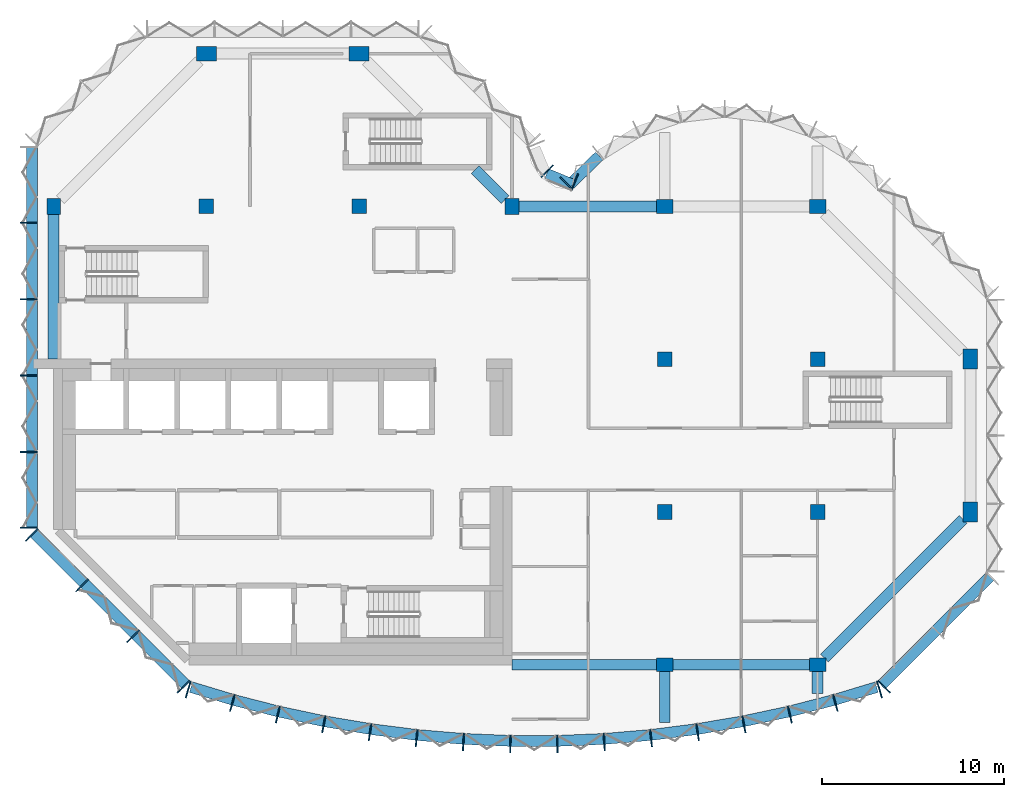
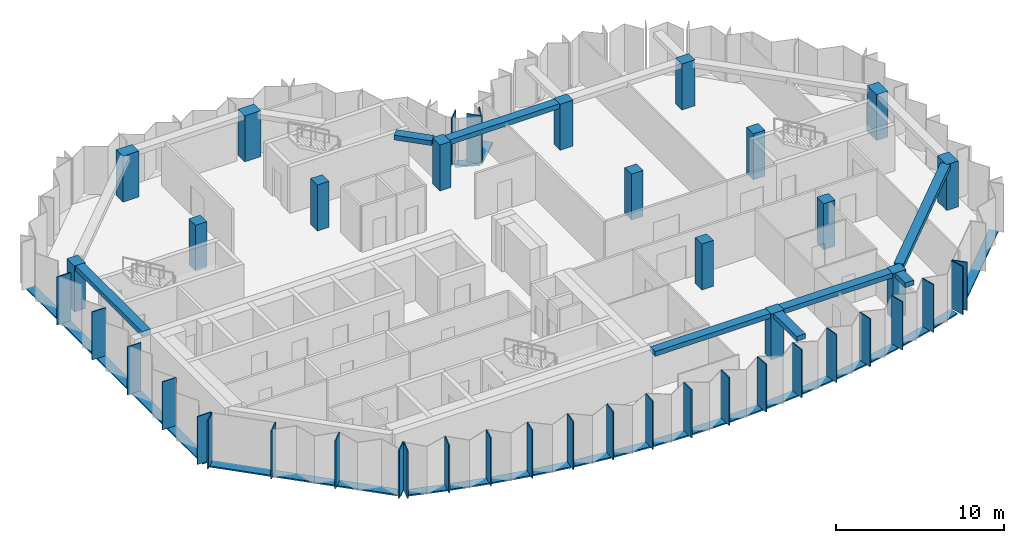
# One storey, part 1 of 9: 49 members, 16 columns, 8 beams, 6 elements without a shape of their own.
"""IFC4 building model written with IfcOpenShell, lengths in metres."""

from ifc_helpers import new_model, si_unit, direction, frame, origin, origin_2d, place, context, subcontext, project, spatial, rectangle, extrude, material, material_profile, profile_set, type_object, element, aggregate, save


model = new_model("IFC4")

# Units and contexts
model_context = context("Model", 3, precision=1e-05, world=origin(), true_north=direction((0.0, 1.0)))
body_context = subcontext(model_context, "Body", "Model", "MODEL_VIEW")
ifc_project = project(units=[si_unit("LENGTHUNIT", "METRE"), si_unit("AREAUNIT", "SQUARE_METRE"), si_unit("VOLUMEUNIT", "CUBIC_METRE"), si_unit("PLANEANGLEUNIT", "RADIAN"), si_unit("MASSUNIT", "GRAM", prefix="KILO")], contexts=[model_context])

# Site, building, storey
site_placement = place(None, origin())
site = spatial("IfcSite", under=ifc_project, at=site_placement, CompositionType="ELEMENT")
building_placement = place(site_placement, origin())
building = spatial("IfcBuilding", under=site, at=building_placement, Name="Brevane Broadcast Tower", CompositionType="ELEMENT")
storey_placement = place(building_placement, frame((0.0, 0.0, 226.5)))
storey = spatial("IfcBuildingStorey", under=building, at=storey_placement, Name="L57", CompositionType="ELEMENT", Elevation=226.5)

# Columns
ifc_material_1 = material(Name="Concrete C50/60", Category="concrete")
ifc_material_profile_1 = material_profile(ifc_material_1, rectangle(XDim=0.75, YDim=0.89990234375, at=origin_2d()), Name="RC 750x900")
ifc_profile_set_1 = profile_set([ifc_material_profile_1], Name="Concrete C50/60")
column_type_1 = type_object("IfcColumnType", Name="RC COLUMN EDGE 750x900 C50/60", PredefinedType="COLUMN", material=ifc_profile_set_1)
for number, where, z_axis, x_axis, name in (
    (1, (0.0, 25.199951171875, 0.0), (0.0, 0.0, 1.0), (1.0, 0.0, 0.0), "CE14 1/D"),
    (2, (25.199951171875, 25.199951171875, 0.0), (0.0, 0.0, 1.0), (1.0, 0.0, 0.0), "CE14 4/D"),
    (3, (33.60009765625, 0.0, 0.0), (0.0, 0.0, 1.0), (0.0, 1.0, 0.0), "CE14 5/A"),
    (4, (33.60009765625, 25.199951171875, 0.0), (0.0, 0.0, 1.0), (0.0, 1.0, 0.0), "CE14 5/D"),
    (5, (42.0, 0.0, 0.0), (0.0, 0.0, 1.0), (0.0, 1.0, 0.0), "CE14 6/A"),
    (6, (42.0, 25.199951171875, 0.0), (0.0, 0.0, 1.0), (0.0, 1.0, 0.0), "CE14 6/D"),
):
    element("IfcColumn", number, at=place(storey_placement, frame(where, z_axis=z_axis, x_axis=x_axis)), inside=storey, type_object=column_type_1, Name=name, PredefinedType="COLUMN", context=body_context, shape_type="SweptSolid", body=[
        extrude(rectangle(XDim=0.75, YDim=0.89990234375, at=origin_2d()), origin(), (0.0, 0.0, 1.0), 3.35009765625),
    ])
ifc_material_profile_2 = material_profile(ifc_material_1, rectangle(XDim=0.800048828125, YDim=0.800048828125, at=origin_2d()), Name="RC 800x800")
ifc_profile_set_2 = profile_set([ifc_material_profile_2], Name="Concrete C50/60")
column_type_2 = type_object("IfcColumnType", Name="RC COLUMN INTERIOR 800x800 C50/60", PredefinedType="COLUMN", material=ifc_profile_set_2)
for number, where, z_axis, x_axis, name in (
    (7, (8.39990234375, 25.199951171875, 0.0), (0.0, 0.0, 1.0), (1.0, 0.0, 0.0), "CI15 2/D"),
    (8, (16.800048828125, 25.199951171875, 0.0), (0.0, 0.0, 1.0), (1.0, 0.0, 0.0), "CI15 3/D"),
    (9, (33.60009765625, 8.39990234375, 0.0), (0.0, 0.0, 1.0), (1.0, 0.0, 0.0), "CI15 5/B"),
    (10, (33.60009765625, 16.800048828125, 0.0), (0.0, 0.0, 1.0), (1.0, 0.0, 0.0), "CI15 5/C"),
    (11, (42.0, 8.39990234375, 0.0), (0.0, 0.0, 1.0), (1.0, 0.0, 0.0), "CI15 6/B"),
    (12, (42.0, 16.800048828125, 0.0), (0.0, 0.0, 1.0), (1.0, 0.0, 0.0), "CI15 6/C"),
):
    element("IfcColumn", number, at=place(storey_placement, frame(where, z_axis=z_axis, x_axis=x_axis)), inside=storey, type_object=column_type_2, Name=name, PredefinedType="COLUMN", context=body_context, shape_type="SweptSolid", body=[
        extrude(rectangle(XDim=0.800048828125, YDim=0.800048828125, at=origin_2d()), origin(), (0.0, 0.0, 1.0), 3.35009765625),
    ])
ifc_material_profile_3 = material_profile(ifc_material_1, rectangle(XDim=0.800048828125, YDim=1.10009765625, at=origin_2d()), Name="RC 800x1100")
ifc_profile_set_3 = profile_set([ifc_material_profile_3], Name="Concrete C50/60")
column_type_3 = type_object("IfcColumnType", Name="RC COLUMN WING-END 800x1100 C50/60", PredefinedType="COLUMN", material=ifc_profile_set_3)
for number, where, z_axis, x_axis, name in (
    (13, (8.39990234375, 33.60009765625, 0.0), (0.0, 0.0, 1.0), (0.0, 1.0, 0.0), "CW16 2/E"),
    (14, (16.800048828125, 33.60009765625, 0.0), (0.0, 0.0, 1.0), (0.0, 1.0, 0.0), "CW16 3/E"),
    (15, (50.39990234375, 8.39990234375, 0.0), (0.0, 0.0, 1.0), (1.0, 0.0, 0.0), "CW16 7/B"),
    (16, (50.39990234375, 16.800048828125, 0.0), (0.0, 0.0, 1.0), (1.0, 0.0, 0.0), "CW16 7/C"),
):
    element("IfcColumn", number, at=place(storey_placement, frame(where, z_axis=z_axis, x_axis=x_axis)), inside=storey, type_object=column_type_3, Name=name, PredefinedType="COLUMN", context=body_context, shape_type="SweptSolid", body=[
        extrude(rectangle(XDim=0.800048828125, YDim=1.10009765625, at=origin_2d()), origin(), (0.0, 0.0, 1.0), 3.35009765625),
    ])

# Curtain wall, members
ifc_material_2 = material(Name="Aluminium 6063-T6 bronze anodised", Category="aluminium")
curtain_wall_type = type_object("IfcCurtainWallType", Name="CW-1 curtain wall", PredefinedType="NOTDEFINED", material=ifc_material_2)
curtain_wall_1_placement = place(storey_placement, origin())
curtain_wall_1 = element("IfcCurtainWall", 17, at=curtain_wall_1_placement, inside=storey, type_object=curtain_wall_type, Name="CW-1 typical tilted unit L57 south bow", PredefinedType="NOTDEFINED")
ifc_material_profile_4 = material_profile(ifc_material_2, rectangle(XDim=0.949951171875, YDim=0.070068359375, at=origin_2d()), Name="RECT 70x950")
ifc_profile_set_4 = profile_set([ifc_material_profile_4], Name="Aluminium 6063-T6 bronze anodised")
member_type_1 = type_object("IfcMemberType", Name="CW-1 mullion 70x950", PredefinedType="MULLION", material=ifc_profile_set_4)
member_1_placement = place(storey_placement, frame((7.396240234375, -1.36474609375, -0.14990234375), z_axis=(0.0, 0.0, 1.0), x_axis=(0.288968122518, 0.957338719664, 0.0)))
member_1 = element("IfcMember", 18, at=member_1_placement, type_object=member_type_1, Name="CW-1 mullion", PredefinedType="MULLION", context=body_context, shape_type="SweptSolid", body=[
    extrude(rectangle(XDim=0.949951171875, YDim=0.070068359375, at=origin_2d()), origin(), (0.0, 0.0, 1.0), 3.5),
])
member_2_placement = place(storey_placement, frame((9.824951171875, -2.097900390625, -0.14990234375), z_axis=(0.0, 0.0, 1.0), x_axis=(0.268915519935, 0.963163767559, 0.0)))
member_2 = element("IfcMember", 19, at=member_2_placement, type_object=member_type_1, Name="CW-1 mullion", PredefinedType="MULLION", context=body_context, shape_type="SweptSolid", body=[
    extrude(rectangle(XDim=0.949951171875, YDim=0.070068359375, at=origin_2d()), origin(), (0.0, 0.0, 1.0), 3.5),
])
member_3_placement = place(storey_placement, frame((12.325439453125, -2.739990234375, -0.14990234375), z_axis=(0.0, 0.0, 1.0), x_axis=(0.228467410001, 0.97355156133, 0.0)))
member_3 = element("IfcMember", 20, at=member_3_placement, type_object=member_type_1, Name="CW-1 mullion", PredefinedType="MULLION", context=body_context, shape_type="SweptSolid", body=[
    extrude(rectangle(XDim=0.949951171875, YDim=0.070068359375, at=origin_2d()), origin(), (0.0, 0.0, 1.0), 3.5),
])
member_4_placement = place(storey_placement, frame((14.8505859375, -3.277099609375, -0.14990234375), z_axis=(0.0, 0.0, 1.0), x_axis=(0.187620976959, 0.982241502384, 0.0)))
member_4 = element("IfcMember", 21, at=member_4_placement, type_object=member_type_1, Name="CW-1 mullion", PredefinedType="MULLION", context=body_context, shape_type="SweptSolid", body=[
    extrude(rectangle(XDim=0.949951171875, YDim=0.070068359375, at=origin_2d()), origin(), (0.0, 0.0, 1.0), 3.5),
])
member_5_placement = place(storey_placement, frame((17.395751953125, -3.70849609375, -0.14990234375), z_axis=(0.0, 0.0, 1.0), x_axis=(0.146447392256, 0.989218459847, 0.0)))
member_5 = element("IfcMember", 22, at=member_5_placement, type_object=member_type_1, Name="CW-1 mullion", PredefinedType="MULLION", context=body_context, shape_type="SweptSolid", body=[
    extrude(rectangle(XDim=0.949951171875, YDim=0.070068359375, at=origin_2d()), origin(), (0.0, 0.0, 1.0), 3.5),
])
member_6_placement = place(storey_placement, frame((19.95703125, -4.033203125, -0.14990234375), z_axis=(0.0, 0.0, 1.0), x_axis=(0.105018395305, 0.994470279419, 0.0)))
member_6 = element("IfcMember", 23, at=member_6_placement, type_object=member_type_1, Name="CW-1 mullion", PredefinedType="MULLION", context=body_context, shape_type="SweptSolid", body=[
    extrude(rectangle(XDim=0.949951171875, YDim=0.070068359375, at=origin_2d()), origin(), (0.0, 0.0, 1.0), 3.5),
])
member_7_placement = place(storey_placement, frame((22.529296875, -4.250732421875, -0.14990234375), z_axis=(0.0, 0.0, 1.0), x_axis=(0.063406169479, 0.99798780437, 0.0)))
member_7 = element("IfcMember", 24, at=member_7_placement, type_object=member_type_1, Name="CW-1 mullion", PredefinedType="MULLION", context=body_context, shape_type="SweptSolid", body=[
    extrude(rectangle(XDim=0.949951171875, YDim=0.070068359375, at=origin_2d()), origin(), (0.0, 0.0, 1.0), 3.5),
])
member_8_placement = place(storey_placement, frame((25.10888671875, -4.360595703125, -0.14990234375), z_axis=(0.0, 0.0, 1.0), x_axis=(0.021281828243, 0.999773516246, 0.0)))
member_8 = element("IfcMember", 25, at=member_8_placement, type_object=member_type_1, Name="CW-1 mullion", PredefinedType="MULLION", context=body_context, shape_type="SweptSolid", body=[
    extrude(rectangle(XDim=0.949951171875, YDim=0.070068359375, at=origin_2d()), origin(), (0.0, 0.0, 1.0), 3.5),
])
member_9_placement = place(storey_placement, frame((27.691162109375, -4.360595703125, -0.14990234375), z_axis=(0.0, 0.0, 1.0), x_axis=(-0.021281828243, 0.999773516246, 0.0)))
member_9 = element("IfcMember", 26, at=member_9_placement, type_object=member_type_1, Name="CW-1 mullion", PredefinedType="MULLION", context=body_context, shape_type="SweptSolid", body=[
    extrude(rectangle(XDim=0.949951171875, YDim=0.070068359375, at=origin_2d()), origin(), (0.0, 0.0, 1.0), 3.5),
])
member_10_placement = place(storey_placement, frame((30.2705078125, -4.250732421875, -0.14990234375), z_axis=(0.0, 0.0, 1.0), x_axis=(-0.063406169479, 0.99798780437, 0.0)))
member_10 = element("IfcMember", 27, at=member_10_placement, type_object=member_type_1, Name="CW-1 mullion", PredefinedType="MULLION", context=body_context, shape_type="SweptSolid", body=[
    extrude(rectangle(XDim=0.949951171875, YDim=0.070068359375, at=origin_2d()), origin(), (0.0, 0.0, 1.0), 3.5),
])
member_11_placement = place(storey_placement, frame((32.843017578125, -4.033203125, -0.14990234375), z_axis=(0.0, 0.0, 1.0), x_axis=(-0.105018395305, 0.994470279419, 0.0)))
member_11 = element("IfcMember", 28, at=member_11_placement, type_object=member_type_1, Name="CW-1 mullion", PredefinedType="MULLION", context=body_context, shape_type="SweptSolid", body=[
    extrude(rectangle(XDim=0.949951171875, YDim=0.070068359375, at=origin_2d()), origin(), (0.0, 0.0, 1.0), 3.5),
])
member_12_placement = place(storey_placement, frame((35.404296875, -3.70849609375, -0.14990234375), z_axis=(0.0, 0.0, 1.0), x_axis=(-0.146447392256, 0.989218459847, 0.0)))
member_12 = element("IfcMember", 29, at=member_12_placement, type_object=member_type_1, Name="CW-1 mullion", PredefinedType="MULLION", context=body_context, shape_type="SweptSolid", body=[
    extrude(rectangle(XDim=0.949951171875, YDim=0.070068359375, at=origin_2d()), origin(), (0.0, 0.0, 1.0), 3.5),
])
member_13_placement = place(storey_placement, frame((37.949462890625, -3.277099609375, -0.14990234375), z_axis=(0.0, 0.0, 1.0), x_axis=(-0.187620976959, 0.982241502384, 0.0)))
member_13 = element("IfcMember", 30, at=member_13_placement, type_object=member_type_1, Name="CW-1 mullion", PredefinedType="MULLION", context=body_context, shape_type="SweptSolid", body=[
    extrude(rectangle(XDim=0.949951171875, YDim=0.070068359375, at=origin_2d()), origin(), (0.0, 0.0, 1.0), 3.5),
])
member_14_placement = place(storey_placement, frame((40.474609375, -2.739990234375, -0.14990234375), z_axis=(0.0, 0.0, 1.0), x_axis=(-0.228467410001, 0.97355156133, 0.0)))
member_14 = element("IfcMember", 31, at=member_14_placement, type_object=member_type_1, Name="CW-1 mullion", PredefinedType="MULLION", context=body_context, shape_type="SweptSolid", body=[
    extrude(rectangle(XDim=0.949951171875, YDim=0.070068359375, at=origin_2d()), origin(), (0.0, 0.0, 1.0), 3.5),
])
member_15_placement = place(storey_placement, frame((42.97509765625, -2.097900390625, -0.14990234375), z_axis=(0.0, 0.0, 1.0), x_axis=(-0.268915519935, 0.963163767559, 0.0)))
member_15 = element("IfcMember", 32, at=member_15_placement, type_object=member_type_1, Name="CW-1 mullion", PredefinedType="MULLION", context=body_context, shape_type="SweptSolid", body=[
    extrude(rectangle(XDim=0.949951171875, YDim=0.070068359375, at=origin_2d()), origin(), (0.0, 0.0, 1.0), 3.5),
])
member_16_placement = place(storey_placement, frame((45.40380859375, -1.36474609375, -0.14990234375), z_axis=(0.0, 0.0, 1.0), x_axis=(-0.288968122518, 0.957338719664, 0.0)))
member_16 = element("IfcMember", 33, at=member_16_placement, type_object=member_type_1, Name="CW-1 mullion", PredefinedType="MULLION", context=body_context, shape_type="SweptSolid", body=[
    extrude(rectangle(XDim=0.949951171875, YDim=0.070068359375, at=origin_2d()), origin(), (0.0, 0.0, 1.0), 3.5),
])

# Curtain wall, member
curtain_wall_2_placement = place(storey_placement, origin())
curtain_wall_2 = element("IfcCurtainWall", 34, at=curtain_wall_2_placement, inside=storey, type_object=curtain_wall_type, Name="CW-1 typical tilted unit L57 south-east chamfer", PredefinedType="NOTDEFINED")
member_17_placement = place(storey_placement, frame((45.66064453125, -1.211181640625, -0.14990234375), z_axis=(0.0, 0.0, 1.0), x_axis=(-0.707106781187, 0.707106781187, 0.0)))
member_17 = element("IfcMember", 35, at=member_17_placement, type_object=member_type_1, Name="CW-1 mullion", PredefinedType="MULLION", context=body_context, shape_type="SweptSolid", body=[
    extrude(rectangle(XDim=0.949951171875, YDim=0.070068359375, at=origin_2d()), origin(), (0.0, 0.0, 1.0), 3.5),
])

curtain_wall_3_placement = place(storey_placement, origin())
curtain_wall_3 = element("IfcCurtainWall", 36, at=curtain_wall_3_placement, inside=storey, type_object=curtain_wall_type, Name="CW-1 typical tilted unit L57 east bow", PredefinedType="NOTDEFINED")
member_18_placement = place(storey_placement, frame((28.194091796875, 26.465087890625, -0.14990234375), z_axis=(0.0, 0.0, 1.0), x_axis=(0.696812089895, -0.717253728729, 0.0)))
member_18 = element("IfcMember", 37, at=member_18_placement, type_object=member_type_1, Name="CW-1 mullion", PredefinedType="MULLION", context=body_context, shape_type="SweptSolid", body=[
    extrude(rectangle(XDim=0.949951171875, YDim=0.070068359375, at=origin_2d()), origin(), (0.0, 0.0, 1.0), 3.5),
])

# Curtain wall, members
curtain_wall_4_placement = place(storey_placement, origin())
curtain_wall_4 = element("IfcCurtainWall", 38, at=curtain_wall_4_placement, inside=storey, type_object=curtain_wall_type, Name="CW-1 typical tilted unit L57 inner corner", PredefinedType="NOTDEFINED")
member_19_placement = place(storey_placement, frame((28.6494140625, 26.55224609375, -0.14990234375), z_axis=(0.0, 0.0, 1.0), x_axis=(-0.382683432365, -0.923879532511, 0.0)))
member_19 = element("IfcMember", 39, at=member_19_placement, type_object=member_type_1, Name="CW-1 mullion", PredefinedType="MULLION", context=body_context, shape_type="SweptSolid", body=[
    extrude(rectangle(XDim=0.949951171875, YDim=0.070068359375, at=origin_2d()), origin(), (0.0, 0.0, 1.0), 3.5),
])
member_20_placement = place(storey_placement, frame((27.138916015625, 27.138916015625, -0.14990234375), z_axis=(0.0, 0.0, 1.0), x_axis=(-0.707106781187, -0.707106781187, 0.0)))
member_20 = element("IfcMember", 40, at=member_20_placement, type_object=member_type_1, Name="CW-1 mullion", PredefinedType="MULLION", context=body_context, shape_type="SweptSolid", body=[
    extrude(rectangle(XDim=0.949951171875, YDim=0.070068359375, at=origin_2d()), origin(), (0.0, 0.0, 1.0), 3.5),
])

curtain_wall_5_placement = place(storey_placement, origin())
curtain_wall_5 = element("IfcCurtainWall", 41, at=curtain_wall_5_placement, inside=storey, type_object=curtain_wall_type, Name="CW-1 typical tilted unit L57 west face", PredefinedType="NOTDEFINED")
member_21_placement = place(storey_placement, frame((-1.375, 24.300048828125, -0.14990234375), z_axis=(0.0, 0.0, 1.0), x_axis=(1.0, 0.0, 0.0)))
member_21 = element("IfcMember", 42, at=member_21_placement, type_object=member_type_1, Name="CW-1 mullion", PredefinedType="MULLION", context=body_context, shape_type="SweptSolid", body=[
    extrude(rectangle(XDim=0.949951171875, YDim=0.070068359375, at=origin_2d()), origin(), (0.0, 0.0, 1.0), 3.5),
])
member_22_placement = place(storey_placement, frame((-1.375, 20.10009765625, -0.14990234375), z_axis=(0.0, 0.0, 1.0), x_axis=(1.0, 0.0, 0.0)))
member_22 = element("IfcMember", 43, at=member_22_placement, type_object=member_type_1, Name="CW-1 mullion", PredefinedType="MULLION", context=body_context, shape_type="SweptSolid", body=[
    extrude(rectangle(XDim=0.949951171875, YDim=0.070068359375, at=origin_2d()), origin(), (0.0, 0.0, 1.0), 3.5),
])
member_23_placement = place(storey_placement, frame((-1.375, 15.89990234375, -0.14990234375), z_axis=(0.0, 0.0, 1.0), x_axis=(1.0, 0.0, 0.0)))
member_23 = element("IfcMember", 44, at=member_23_placement, type_object=member_type_1, Name="CW-1 mullion", PredefinedType="MULLION", context=body_context, shape_type="SweptSolid", body=[
    extrude(rectangle(XDim=0.949951171875, YDim=0.070068359375, at=origin_2d()), origin(), (0.0, 0.0, 1.0), 3.5),
])
member_24_placement = place(storey_placement, frame((-1.375, 11.699951171875, -0.14990234375), z_axis=(0.0, 0.0, 1.0), x_axis=(1.0, 0.0, 0.0)))
member_24 = element("IfcMember", 45, at=member_24_placement, type_object=member_type_1, Name="CW-1 mullion", PredefinedType="MULLION", context=body_context, shape_type="SweptSolid", body=[
    extrude(rectangle(XDim=0.949951171875, YDim=0.070068359375, at=origin_2d()), origin(), (0.0, 0.0, 1.0), 3.5),
])
member_25_placement = place(storey_placement, frame((-1.375, 7.534912109375, -0.14990234375), z_axis=(0.0, 0.0, 1.0), x_axis=(1.0, 0.0, 0.0)))
member_25 = element("IfcMember", 46, at=member_25_placement, type_object=member_type_1, Name="CW-1 mullion", PredefinedType="MULLION", context=body_context, shape_type="SweptSolid", body=[
    extrude(rectangle(XDim=0.949951171875, YDim=0.070068359375, at=origin_2d()), origin(), (0.0, 0.0, 1.0), 3.5),
])

curtain_wall_6_placement = place(storey_placement, origin())
curtain_wall_6 = element("IfcCurtainWall", 47, at=curtain_wall_6_placement, inside=storey, type_object=curtain_wall_type, Name="CW-1 typical tilted unit L57 south-west chamfer", PredefinedType="NOTDEFINED")
member_26_placement = place(storey_placement, frame((-1.211181640625, 7.139404296875, -0.14990234375), z_axis=(0.0, 0.0, 1.0), x_axis=(0.707106781187, 0.707106781187, 0.0)))
member_26 = element("IfcMember", 48, at=member_26_placement, type_object=member_type_1, Name="CW-1 mullion", PredefinedType="MULLION", context=body_context, shape_type="SweptSolid", body=[
    extrude(rectangle(XDim=0.949951171875, YDim=0.070068359375, at=origin_2d()), origin(), (0.0, 0.0, 1.0), 3.5),
])
member_27_placement = place(storey_placement, frame((1.564208984375, 4.364013671875, -0.14990234375), z_axis=(0.0, 0.0, 1.0), x_axis=(0.707106781187, 0.707106781187, 0.0)))
member_27 = element("IfcMember", 49, at=member_27_placement, type_object=member_type_1, Name="CW-1 mullion", PredefinedType="MULLION", context=body_context, shape_type="SweptSolid", body=[
    extrude(rectangle(XDim=0.949951171875, YDim=0.070068359375, at=origin_2d()), origin(), (0.0, 0.0, 1.0), 3.5),
])
member_28_placement = place(storey_placement, frame((4.364013671875, 1.564208984375, -0.14990234375), z_axis=(0.0, 0.0, 1.0), x_axis=(0.707106781187, 0.707106781187, 0.0)))
member_28 = element("IfcMember", 50, at=member_28_placement, type_object=member_type_1, Name="CW-1 mullion", PredefinedType="MULLION", context=body_context, shape_type="SweptSolid", body=[
    extrude(rectangle(XDim=0.949951171875, YDim=0.070068359375, at=origin_2d()), origin(), (0.0, 0.0, 1.0), 3.5),
])
member_29_placement = place(storey_placement, frame((7.139404296875, -1.211181640625, -0.14990234375), z_axis=(0.0, 0.0, 1.0), x_axis=(0.707106781187, 0.707106781187, 0.0)))
member_29 = element("IfcMember", 51, at=member_29_placement, type_object=member_type_1, Name="CW-1 mullion", PredefinedType="MULLION", context=body_context, shape_type="SweptSolid", body=[
    extrude(rectangle(XDim=0.949951171875, YDim=0.070068359375, at=origin_2d()), origin(), (0.0, 0.0, 1.0), 3.5),
])

# Member
ifc_material_profile_5 = material_profile(ifc_material_2, rectangle(XDim=0.60009765625, YDim=0.10009765625, at=origin_2d()), Name="RECT 100x600")
ifc_profile_set_5 = profile_set([ifc_material_profile_5], Name="Aluminium 6063-T6 bronze anodised")
member_type_2 = type_object("IfcMemberType", Name="CW-1 transom 100x600", PredefinedType="USERDEFINED", material=ifc_profile_set_5)
member_30_placement = place(storey_placement, frame((7.553955078125, -1.229736328125, -0.199951171875), z_axis=(0.957362578524, -0.288889067362, 0.0), x_axis=(0.288889067362, 0.957362578524, 0.0)))
member_30 = element("IfcMember", 52, at=member_30_placement, type_object=member_type_2, Name="CW-1 transom", ObjectType="TRANSOM", PredefinedType="USERDEFINED", context=body_context, shape_type="SweptSolid", body=[
    extrude(rectangle(XDim=0.60009765625, YDim=0.10009765625, at=origin_2d()), origin(), (0.0, 0.0, 1.0), 2.411865234375),
])

member_31_placement = place(storey_placement, frame((9.8759765625, -1.930419921875, -0.199951171875), z_axis=(0.968569727699, -0.248742201052, 0.0), x_axis=(0.248742201052, 0.968569727699, 0.0)))
member_31 = element("IfcMember", 53, at=member_31_placement, type_object=member_type_2, Name="CW-1 transom", ObjectType="TRANSOM", PredefinedType="USERDEFINED", context=body_context, shape_type="SweptSolid", body=[
    extrude(rectangle(XDim=0.60009765625, YDim=0.10009765625, at=origin_2d()), origin(), (0.0, 0.0, 1.0), 2.561767578125),
])

member_32_placement = place(storey_placement, frame((12.370361328125, -2.57080078125, -0.199951171875), z_axis=(0.978117897278, -0.208051385536, 0.0), x_axis=(0.208051385536, 0.978117897278, 0.0)))
member_32 = element("IfcMember", 54, at=member_32_placement, type_object=member_type_2, Name="CW-1 transom", ObjectType="TRANSOM", PredefinedType="USERDEFINED", context=body_context, shape_type="SweptSolid", body=[
    extrude(rectangle(XDim=0.60009765625, YDim=0.10009765625, at=origin_2d()), origin(), (0.0, 0.0, 1.0), 2.561767578125),
])

member_33_placement = place(storey_placement, frame((14.88916015625, -3.1064453125, -0.199951171875), z_axis=(0.985947338221, -0.167056416383, 0.0), x_axis=(0.167056416383, 0.985947338221, 0.0)))
member_33 = element("IfcMember", 55, at=member_33_placement, type_object=member_type_2, Name="CW-1 transom", ObjectType="TRANSOM", PredefinedType="USERDEFINED", context=body_context, shape_type="SweptSolid", body=[
    extrude(rectangle(XDim=0.60009765625, YDim=0.10009765625, at=origin_2d()), origin(), (0.0, 0.0, 1.0), 2.561767578125),
])

member_34_placement = place(storey_placement, frame((17.428466796875, -3.536376953125, -0.199951171875), z_axis=(0.99206678005, -0.12571198798, 0.0), x_axis=(0.12571198798, 0.99206678005, 0.0)))
member_34 = element("IfcMember", 56, at=member_34_placement, type_object=member_type_2, Name="CW-1 transom", ObjectType="TRANSOM", PredefinedType="USERDEFINED", context=body_context, shape_type="SweptSolid", body=[
    extrude(rectangle(XDim=0.60009765625, YDim=0.10009765625, at=origin_2d()), origin(), (0.0, 0.0, 1.0), 2.5615234375),
])

member_35_placement = place(storey_placement, frame((19.983154296875, -3.85986328125, -0.199951171875), z_axis=(0.99644513768, -0.084244214012, 0.0), x_axis=(0.084244214012, 0.99644513768, 0.0)))
member_35 = element("IfcMember", 57, at=member_35_placement, type_object=member_type_2, Name="CW-1 transom", ObjectType="TRANSOM", PredefinedType="USERDEFINED", context=body_context, shape_type="SweptSolid", body=[
    extrude(rectangle(XDim=0.60009765625, YDim=0.10009765625, at=origin_2d()), origin(), (0.0, 0.0, 1.0), 2.561767578125),
])

member_36_placement = place(storey_placement, frame((22.54931640625, -4.076416015625, -0.199951171875), z_axis=(0.999092306129, -0.042597697524, 0.0), x_axis=(0.042597697524, 0.999092306129, 0.0)))
member_36 = element("IfcMember", 58, at=member_36_placement, type_object=member_type_2, Name="CW-1 transom", ObjectType="TRANSOM", PredefinedType="USERDEFINED", context=body_context, shape_type="SweptSolid", body=[
    extrude(rectangle(XDim=0.60009765625, YDim=0.10009765625, at=origin_2d()), origin(), (0.0, 0.0, 1.0), 2.56201171875),
])

member_37_placement = place(storey_placement, frame((25.122314453125, -4.185546875, -0.199951171875), z_axis=(1.0, 0.0, 0.0), x_axis=(0.0, 1.0, 0.0)))
member_37 = element("IfcMember", 59, at=member_37_placement, type_object=member_type_2, Name="CW-1 transom", ObjectType="TRANSOM", PredefinedType="USERDEFINED", context=body_context, shape_type="SweptSolid", body=[
    extrude(rectangle(XDim=0.60009765625, YDim=0.10009765625, at=origin_2d()), origin(), (0.0, 0.0, 1.0), 2.56201171875),
])

member_38_placement = place(storey_placement, frame((27.691162109375, -4.185546875, -0.199951171875), z_axis=(0.999092133182, 0.042601753652, 0.0), x_axis=(-0.042601753652, 0.999092133182, 0.0)))
member_38 = element("IfcMember", 60, at=member_38_placement, type_object=member_type_2, Name="CW-1 transom", ObjectType="TRANSOM", PredefinedType="USERDEFINED", context=body_context, shape_type="SweptSolid", body=[
    extrude(rectangle(XDim=0.60009765625, YDim=0.10009765625, at=origin_2d()), origin(), (0.0, 0.0, 1.0), 2.561767578125),
])

member_39_placement = place(storey_placement, frame((30.26416015625, -4.07568359375, -0.199951171875), z_axis=(0.99644513768, 0.084244214012, 0.0), x_axis=(-0.084244214012, 0.99644513768, 0.0)))
member_39 = element("IfcMember", 61, at=member_39_placement, type_object=member_type_2, Name="CW-1 transom", ObjectType="TRANSOM", PredefinedType="USERDEFINED", context=body_context, shape_type="SweptSolid", body=[
    extrude(rectangle(XDim=0.60009765625, YDim=0.10009765625, at=origin_2d()), origin(), (0.0, 0.0, 1.0), 2.561767578125),
])

member_40_placement = place(storey_placement, frame((32.830322265625, -3.8583984375, -0.199951171875), z_axis=(0.99206678005, 0.12571198798, 0.0), x_axis=(-0.12571198798, 0.99206678005, 0.0)))
member_40 = element("IfcMember", 62, at=member_40_placement, type_object=member_type_2, Name="CW-1 transom", ObjectType="TRANSOM", PredefinedType="USERDEFINED", context=body_context, shape_type="SweptSolid", body=[
    extrude(rectangle(XDim=0.60009765625, YDim=0.10009765625, at=origin_2d()), origin(), (0.0, 0.0, 1.0), 2.5615234375),
])

member_41_placement = place(storey_placement, frame((35.385009765625, -3.534423828125, -0.199951171875), z_axis=(0.9859446783, 0.167072114167, 0.0), x_axis=(-0.167072114167, 0.9859446783, 0.0)))
member_41 = element("IfcMember", 63, at=member_41_placement, type_object=member_type_2, Name="CW-1 transom", ObjectType="TRANSOM", PredefinedType="USERDEFINED", context=body_context, shape_type="SweptSolid", body=[
    extrude(rectangle(XDim=0.60009765625, YDim=0.10009765625, at=origin_2d()), origin(), (0.0, 0.0, 1.0), 2.5615234375),
])

member_42_placement = place(storey_placement, frame((37.924072265625, -3.103759765625, -0.199951171875), z_axis=(0.978117897278, 0.208051385536, 0.0), x_axis=(-0.208051385536, 0.978117897278, 0.0)))
member_42 = element("IfcMember", 64, at=member_42_placement, type_object=member_type_2, Name="CW-1 transom", ObjectType="TRANSOM", PredefinedType="USERDEFINED", context=body_context, shape_type="SweptSolid", body=[
    extrude(rectangle(XDim=0.60009765625, YDim=0.10009765625, at=origin_2d()), origin(), (0.0, 0.0, 1.0), 2.561767578125),
])

member_43_placement = place(storey_placement, frame((40.44287109375, -2.567626953125, -0.199951171875), z_axis=(0.968569727699, 0.248742201052, 0.0), x_axis=(-0.248742201052, 0.968569727699, 0.0)))
member_43 = element("IfcMember", 65, at=member_43_placement, type_object=member_type_2, Name="CW-1 transom", ObjectType="TRANSOM", PredefinedType="USERDEFINED", context=body_context, shape_type="SweptSolid", body=[
    extrude(rectangle(XDim=0.60009765625, YDim=0.10009765625, at=origin_2d()), origin(), (0.0, 0.0, 1.0), 2.561767578125),
])

member_44_placement = place(storey_placement, frame((42.93701171875, -1.926513671875, -0.199951171875), z_axis=(0.957362578524, 0.288889067362, 0.0), x_axis=(-0.288889067362, 0.957362578524, 0.0)))
member_44 = element("IfcMember", 66, at=member_44_placement, type_object=member_type_2, Name="CW-1 transom", ObjectType="TRANSOM", PredefinedType="USERDEFINED", context=body_context, shape_type="SweptSolid", body=[
    extrude(rectangle(XDim=0.60009765625, YDim=0.10009765625, at=origin_2d()), origin(), (0.0, 0.0, 1.0), 2.411865234375),
])

aggregate(curtain_wall_1, [member_1, member_2, member_3, member_4, member_5, member_6, member_7, member_8, member_9, member_10, member_11, member_12, member_13, member_14, member_15, member_16, member_30, member_31, member_32, member_33, member_34, member_35, member_36, member_37, member_38, member_39, member_40, member_41, member_42, member_43, member_44])

member_45_placement = place(storey_placement, frame((45.51220703125, -1.112060546875, -0.199951171875), z_axis=(0.707106781187, 0.707106781187, 0.0), x_axis=(-0.707106781187, 0.707106781187, 0.0)))
member_45 = element("IfcMember", 67, at=member_45_placement, type_object=member_type_2, Name="CW-1 transom", ObjectType="TRANSOM", PredefinedType="USERDEFINED", context=body_context, shape_type="SweptSolid", body=[
    extrude(rectangle(XDim=0.60009765625, YDim=0.10009765625, at=origin_2d()), origin(), (0.0, 0.0, 1.0), 8.4853515625),
])

aggregate(curtain_wall_2, [member_17, member_45])

member_46_placement = place(storey_placement, frame((29.99951171875, 27.974365234375, -0.199951171875), z_axis=(-0.71724215871, -0.696823999134, 0.0), x_axis=(0.696823999134, -0.71724215871, 0.0)))
member_46 = element("IfcMember", 68, at=member_46_placement, type_object=member_type_2, Name="CW-1 transom", ObjectType="TRANSOM", PredefinedType="USERDEFINED", context=body_context, shape_type="SweptSolid", body=[
    extrude(rectangle(XDim=0.60009765625, YDim=0.10009765625, at=origin_2d()), origin(), (0.0, 0.0, 1.0), 2.247802734375),
])

aggregate(curtain_wall_3, [member_18, member_46])

member_47_placement = place(storey_placement, frame((28.528076171875, 26.40673828125, -0.199951171875), z_axis=(-0.923883243627, 0.382674472816, 0.0), x_axis=(-0.382674472816, -0.923883243627, 0.0)))
member_47 = element("IfcMember", 69, at=member_47_placement, type_object=member_type_2, Name="CW-1 transom", ObjectType="TRANSOM", PredefinedType="USERDEFINED", context=body_context, shape_type="SweptSolid", body=[
    extrude(rectangle(XDim=0.60009765625, YDim=0.10009765625, at=origin_2d()), origin(), (0.0, 0.0, 1.0), 1.536865234375),
])

aggregate(curtain_wall_4, [member_19, member_20, member_47])

member_48_placement = place(storey_placement, frame((-1.199951171875, 28.5, -0.199951171875), z_axis=(0.0, -1.0, 0.0), x_axis=(1.0, 0.0, 0.0)))
member_48 = element("IfcMember", 70, at=member_48_placement, type_object=member_type_2, Name="CW-1 transom", ObjectType="TRANSOM", PredefinedType="USERDEFINED", context=body_context, shape_type="SweptSolid", body=[
    extrude(rectangle(XDim=0.60009765625, YDim=0.10009765625, at=origin_2d()), origin(), (0.0, 0.0, 1.0), 21.0),
])

aggregate(curtain_wall_5, [member_21, member_22, member_23, member_24, member_25, member_48])

member_49_placement = place(storey_placement, frame((-1.112060546875, 7.287841796875, -0.199951171875), z_axis=(0.707106781187, -0.707106781187, 0.0), x_axis=(0.707106781187, 0.707106781187, 0.0)))
member_49 = element("IfcMember", 71, at=member_49_placement, type_object=member_type_2, Name="CW-1 transom", ObjectType="TRANSOM", PredefinedType="USERDEFINED", context=body_context, shape_type="SweptSolid", body=[
    extrude(rectangle(XDim=0.60009765625, YDim=0.10009765625, at=origin_2d()), origin(), (0.0, 0.0, 1.0), 11.879150390625),
])

aggregate(curtain_wall_6, [member_26, member_27, member_28, member_29, member_49])

# Beams
ifc_material_3 = material(Name="Concrete C40/50", Category="concrete")
ifc_material_profile_6 = material_profile(ifc_material_3, rectangle(XDim=0.60009765625, YDim=0.35009765625, at=origin_2d()), Name="RC 600x350")
ifc_profile_set_6 = profile_set([ifc_material_profile_6], Name="Concrete C40/50")
beam_type_1 = type_object("IfcBeamType", Name="RC BRACKET BEAM 600x350 C40/50", PredefinedType="BEAM", material=ifc_profile_set_6)
beam_1_placement = place(storey_placement, frame((33.60009765625, -0.375, 3.175048828125), z_axis=(0.0, -1.0, 0.0), x_axis=(1.0, 0.0, 0.0)))
element("IfcBeam", 72, at=beam_1_placement, inside=storey, type_object=beam_type_1, Name="EB2 L57-1", PredefinedType="BEAM", context=body_context, shape_type="SweptSolid", body=[
    extrude(rectangle(XDim=0.60009765625, YDim=0.35009765625, at=origin_2d()), origin(), (0.0, 0.0, 1.0), 2.7958984375),
])
beam_2_placement = place(storey_placement, frame((42.0, -0.375, 3.175048828125), z_axis=(0.0, -1.0, 0.0), x_axis=(1.0, 0.0, 0.0)))
element("IfcBeam", 73, at=beam_2_placement, inside=storey, type_object=beam_type_1, Name="EB2 L57-3", PredefinedType="BEAM", context=body_context, shape_type="SweptSolid", body=[
    extrude(rectangle(XDim=0.60009765625, YDim=0.35009765625, at=origin_2d()), origin(), (0.0, 0.0, 1.0), 1.19384765625),
])
ifc_material_profile_7 = material_profile(ifc_material_3, rectangle(XDim=0.60009765625, YDim=0.35009765625, at=origin_2d()), Name="RC 600x350")
ifc_profile_set_7 = profile_set([ifc_material_profile_7], Name="Concrete C40/50")
beam_type_2 = type_object("IfcBeamType", Name="RC SPANDREL BEAM 600x350 C40/50", PredefinedType="SPANDREL", material=ifc_profile_set_7)
beam_3_placement = place(storey_placement, frame((25.199951171875, 0.0, 3.175048828125), z_axis=(1.0, 0.0, 0.0), x_axis=(0.0, 1.0, 0.0)))
element("IfcBeam", 74, at=beam_3_placement, inside=storey, type_object=beam_type_2, Name="EB1 L57-1", PredefinedType="SPANDREL", context=body_context, shape_type="SweptSolid", body=[
    extrude(rectangle(XDim=0.60009765625, YDim=0.35009765625, at=origin_2d()), origin(), (0.0, 0.0, 1.0), 7.949951171875),
])
beam_4_placement = place(storey_placement, frame((34.050048828125, 0.0, 3.175048828125), z_axis=(1.0, 0.0, 0.0), x_axis=(0.0, 1.0, 0.0)))
element("IfcBeam", 75, at=beam_4_placement, inside=storey, type_object=beam_type_2, Name="EB1 L57-2", PredefinedType="SPANDREL", context=body_context, shape_type="SweptSolid", body=[
    extrude(rectangle(XDim=0.60009765625, YDim=0.35009765625, at=origin_2d()), origin(), (0.0, 0.0, 1.0), 7.5),
])
beam_5_placement = place(storey_placement, frame((42.375, 0.375, 3.175048828125), z_axis=(0.707106781187, 0.707106781187, 0.0), x_axis=(-0.707106781187, 0.707106781187, 0.0)))
element("IfcBeam", 76, at=beam_5_placement, inside=storey, type_object=beam_type_2, Name="EB1 L57-3", PredefinedType="SPANDREL", context=body_context, shape_type="SweptSolid", body=[
    extrude(rectangle(XDim=0.60009765625, YDim=0.35009765625, at=origin_2d()), origin(), (0.0, 0.0, 1.0), 10.783447265625),
])
beam_6_placement = place(storey_placement, frame((33.14990234375, 25.199951171875, 3.175048828125), z_axis=(-1.0, 0.0, 0.0), x_axis=(0.0, -1.0, 0.0)))
element("IfcBeam", 77, at=beam_6_placement, inside=storey, type_object=beam_type_2, Name="EB1 L57-7", PredefinedType="SPANDREL", context=body_context, shape_type="SweptSolid", body=[
    extrude(rectangle(XDim=0.60009765625, YDim=0.35009765625, at=origin_2d()), origin(), (0.0, 0.0, 1.0), 7.574951171875),
])
beam_7_placement = place(storey_placement, frame((24.824951171875, 25.574951171875, 3.175048828125), z_axis=(-0.707106781187, 0.707106781187, 0.0), x_axis=(-0.707106781187, -0.707106781187, 0.0)))
element("IfcBeam", 78, at=beam_7_placement, inside=storey, type_object=beam_type_2, Name="EB1 L57-8", PredefinedType="SPANDREL", context=body_context, shape_type="SweptSolid", body=[
    extrude(rectangle(XDim=0.60009765625, YDim=0.35009765625, at=origin_2d()), origin(), (0.0, 0.0, 1.0), 2.340576171875),
])
beam_8_placement = place(storey_placement, frame((0.0, 24.75, 3.175048828125), z_axis=(0.0, -1.0, 0.0), x_axis=(1.0, 0.0, 0.0)))
element("IfcBeam", 79, at=beam_8_placement, inside=storey, type_object=beam_type_2, Name="EB1 L57-11", PredefinedType="SPANDREL", context=body_context, shape_type="SweptSolid", body=[
    extrude(rectangle(XDim=0.60009765625, YDim=0.35009765625, at=origin_2d()), origin(), (0.0, 0.0, 1.0), 7.949951171875),
])

save(model, "model.ifc")
